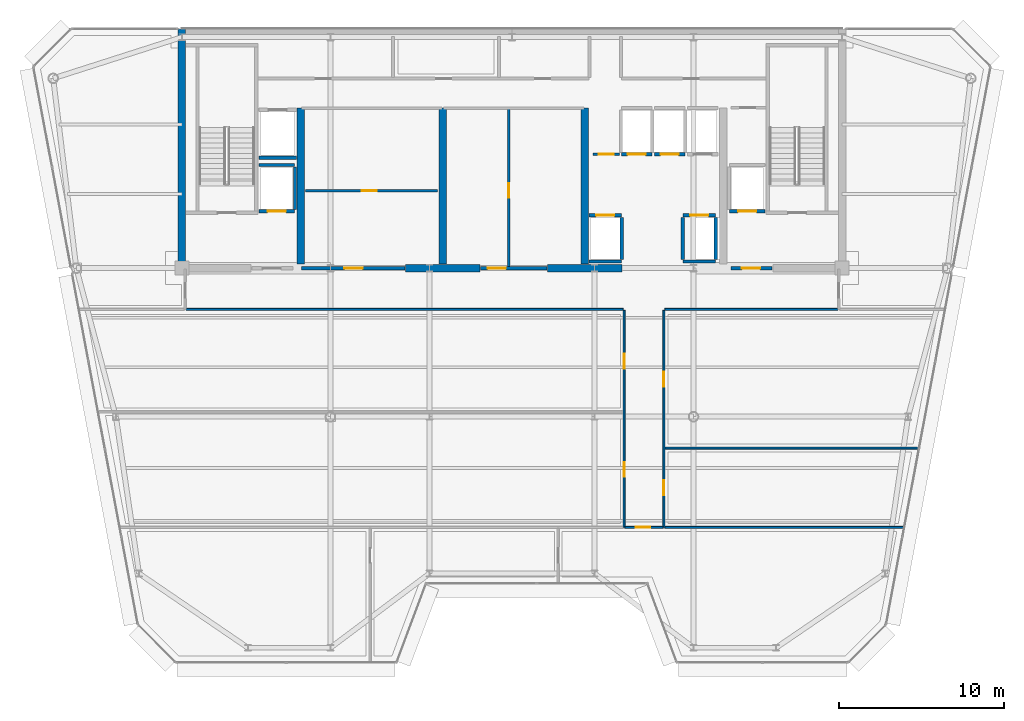
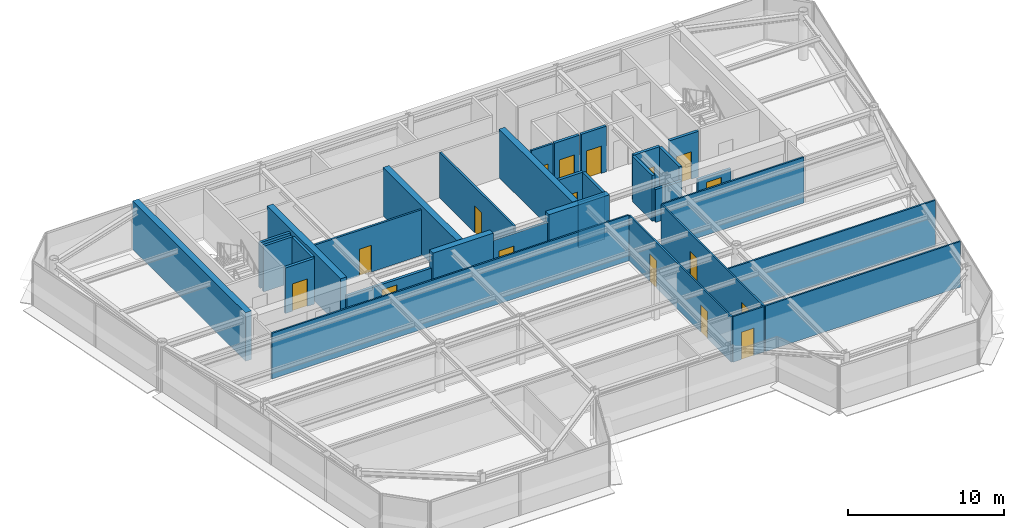
# One storey, part 11 of 19: 33 walls, 17 doors, 17 openings.
"""IFC4 building model written with IfcOpenShell, lengths in metres."""

from ifc_helpers import new_model, si_unit, direction, frame, frame_2d, origin, place, context, subcontext, project, spatial, rectangle, extrude, source, transform, mapped, material, layer, layer_set, type_object, element, fill, save


model = new_model("IFC4")

# Units and contexts
model_context = context("Model", 3, precision=1e-05, world=origin(), true_north=direction((0.0, 1.0)))
body_context = subcontext(model_context, "Body", "Model", "MODEL_VIEW")
ifc_project = project(units=[si_unit("LENGTHUNIT", "METRE"), si_unit("AREAUNIT", "SQUARE_METRE"), si_unit("VOLUMEUNIT", "CUBIC_METRE"), si_unit("PLANEANGLEUNIT", "RADIAN"), si_unit("MASSUNIT", "GRAM", prefix="KILO")], contexts=[model_context])

# Site, building, storey
site_placement = place(None, origin())
site = spatial("IfcSite", under=ifc_project, at=site_placement, CompositionType="ELEMENT")
building_placement = place(site_placement, origin())
building = spatial("IfcBuilding", under=site, at=building_placement, Name="Vaeldorn Concourse Tower", CompositionType="ELEMENT")
storey_placement = place(building_placement, frame((0.0, 0.0, 287.800048828125)))
storey = spatial("IfcBuildingStorey", under=building, at=storey_placement, Name="L74", CompositionType="ELEMENT", Elevation=287.800048828125)

# Walls
ifc_material_1 = material(Name="Concrete C50/60", Category="concrete")
ifc_layer_1 = layer(ifc_material_1, 0.449951171875)
ifc_layer_set_1 = layer_set([ifc_layer_1], Name="Concrete C50/60")
wall_type_1 = type_object("IfcWallType", Name="WL-CORE-450", PredefinedType="SHEAR", material=ifc_layer_set_1)
wall_1_placement = place(storey_placement, frame((14.0, 36.5, 0.0), z_axis=(0.0, 0.0, 1.0), x_axis=(0.0, 1.0, 0.0)))
element("IfcWall", 1, at=wall_1_placement, inside=storey, type_object=wall_type_1, Name="Rear Core Shear Wall L74 W1", PredefinedType="SHEAR", context=body_context, shape_type="SweptSolid", body=[
    extrude(rectangle(XDim=14.5, YDim=0.449951171875, at=frame_2d((7.25, 0.0))), origin(), (0.0, 0.0, 1.0), 3.800048828125),
])
for number, where, z_axis, x_axis, name in (
    (2, (27.550048828125, 36.5, 0.0), (0.0, 0.0, 1.0), (1.0, 0.0, 0.0), "Rear Core Shear Wall L74 S2"),
    (3, (36.14990234375, 36.5, 0.0), (0.0, 0.0, 1.0), (1.0, 0.0, 0.0), "Rear Core Shear Wall L74 S3"),
):
    element("IfcWall", number, at=place(storey_placement, frame(where, z_axis=z_axis, x_axis=x_axis)), inside=storey, type_object=wall_type_1, Name=name, PredefinedType="SHEAR", context=body_context, shape_type="SweptSolid", body=[
        extrude(rectangle(XDim=4.5, YDim=0.449951171875, at=frame_2d((2.25, 0.0))), origin(), (0.0, 0.0, 1.0), 3.800048828125),
    ])
for number, where, z_axis, x_axis, name in (
    (4, (21.199951171875, 36.7451171875, 0.0), (0.0, 0.0, 1.0), (0.0, 1.0, 0.0), "Rear Core Shear Wall L74 M1"),
    (5, (29.800048828125, 36.7451171875, 0.0), (0.0, 0.0, 1.0), (0.0, 1.0, 0.0), "Rear Core Shear Wall L74 M2"),
    (6, (38.39990234375, 36.7451171875, 0.0), (0.0, 0.0, 1.0), (0.0, 1.0, 0.0), "Rear Core Shear Wall L74 M3"),
):
    element("IfcWall", number, at=place(storey_placement, frame(where, z_axis=z_axis, x_axis=x_axis)), inside=storey, type_object=wall_type_1, Name=name, PredefinedType="SHEAR", context=body_context, shape_type="SweptSolid", body=[
        extrude(rectangle(XDim=9.454833984375, YDim=0.449951171875, at=frame_2d((4.7275390625, 0.0))), origin(), (0.0, 0.0, 1.0), 3.800048828125),
    ])
ifc_material_2 = material(Name="Gypsum Board Partition", Category="gypsum")
ifc_layer_2 = layer(ifc_material_2, 0.1201171875)
ifc_layer_set_2 = layer_set([ifc_layer_2], Name="Gypsum Board Partition")
wall_type_2 = type_object("IfcWallType", Name="WL-PART-120", PredefinedType="PARTITIONING", material=ifc_layer_set_2)
wall_2_placement = place(storey_placement, frame((14.260009765625, 34.0, 0.0), z_axis=(0.0, 0.0, 1.0), x_axis=(1.0, 0.0, 0.0)))
element("IfcWall", 7, at=wall_2_placement, inside=storey, type_object=wall_type_2, Name="Interior Wall PW-L74-C3SW", PredefinedType="PARTITIONING", context=body_context, shape_type="SweptSolid", body=[
    extrude(rectangle(XDim=26.47998046875, YDim=0.1201171875, at=frame_2d((13.239990234375, 0.0))), origin(), (0.0, 0.0, 1.0), 3.579833984375),
])
wall_3_placement = place(storey_placement, frame((43.260009765625, 34.0, 0.0), z_axis=(0.0, 0.0, 1.0), x_axis=(1.0, 0.0, 0.0)))
element("IfcWall", 8, at=wall_3_placement, inside=storey, type_object=wall_type_2, Name="Interior Wall PW-L74-C3SE", PredefinedType="PARTITIONING", context=body_context, shape_type="SweptSolid", body=[
    extrude(rectangle(XDim=10.47998046875, YDim=0.1201171875, at=frame_2d((5.239990234375, 0.0))), origin(), (0.0, 0.0, 1.0), 3.579833984375),
])

# Wall, openings, doors
wall_4_placement = place(storey_placement, frame((40.800048828125, 20.800048828125, 0.0), z_axis=(0.0, 0.0, 1.0), x_axis=(0.0, 1.0, 0.0)))
wall_4 = element("IfcWall", 9, at=wall_4_placement, inside=storey, type_object=wall_type_2, Name="Interior Wall PW-L74-CSPW", PredefinedType="PARTITIONING", context=body_context, shape_type="SweptSolid", body=[
    extrude(rectangle(XDim=13.139892578125, YDim=0.1201171875, at=frame_2d((6.56982421875, 0.0))), origin(), (0.0, 0.0, 1.0), 3.579833984375),
])
opening_1_placement = place(wall_4_placement, frame((3.050048828125, 0.0, 0.0)))
opening_1 = element("IfcOpeningElement", 10, at=opening_1_placement, cuts=wall_4, Name="Opening D-03", PredefinedType="OPENING", context=body_context, shape_type="SweptSolid", body=[
    extrude(rectangle(XDim=0.89990234375, YDim=2.14990234375, at=frame_2d((0.449951171875, 1.074951171875))), frame((0.0, 0.070068359375, 0.0), z_axis=(0.0, -1.0, 0.0), x_axis=(1.0, 0.0, 0.0)), (0.0, 0.0, 1.0), 0.14013671875),
])
opening_2_placement = place(wall_4_placement, frame((9.6201171875, 0.0, 0.0)))
opening_2 = element("IfcOpeningElement", 11, at=opening_2_placement, cuts=wall_4, Name="Opening D-03", PredefinedType="OPENING", context=body_context, shape_type="SweptSolid", body=[
    extrude(rectangle(XDim=0.89990234375, YDim=2.14990234375, at=frame_2d((0.449951171875, 1.074951171875))), frame((0.0, 0.070068359375, 0.0), z_axis=(0.0, -1.0, 0.0), x_axis=(1.0, 0.0, 0.0)), (0.0, 0.0, 1.0), 0.14013671875),
])
ifc_material_3 = material(Name="Acoustic Bronze-Framed Glass Door", Category="glass")
door_type_1 = type_object("IfcDoorType", Name="DR-INT-900", OperationType="NOTDEFINED", PredefinedType="DOOR", material=ifc_material_3)
shared_shape_1 = source(origin(), body_context, "Body", "SweptSolid", [
    extrude(rectangle(XDim=0.89990234375, YDim=2.14990234375, at=frame_2d((0.449951171875, 1.074951171875))), frame((0.0, 0.02490234375, 0.0), z_axis=(0.0, -1.0, 0.0), x_axis=(1.0, 0.0, 0.0)), (0.0, 0.0, 1.0), 0.050048828125),
])
door_1_placement = place(opening_1_placement, origin())
door_1 = element("IfcDoor", 12, at=door_1_placement, inside=storey, type_object=door_type_1, Name="Interior Door DR-L74-Z3W1", OperationType="SINGLE_SWING_LEFT", OverallHeight=2.14990234375, OverallWidth=0.89990234375, PredefinedType="DOOR", context=body_context, shape_type="MappedRepresentation", body=[
    mapped(shared_shape_1, transform((0.0, 0.0, 0.0), scale=1.0)),
])
fill(opening_1, door_1)
door_2_placement = place(opening_2_placement, origin())
door_2 = element("IfcDoor", 13, at=door_2_placement, inside=storey, type_object=door_type_1, Name="Interior Door DR-L74-Z3W2", OperationType="SINGLE_SWING_RIGHT", OverallHeight=2.14990234375, OverallWidth=0.89990234375, PredefinedType="DOOR", context=body_context, shape_type="MappedRepresentation", body=[
    mapped(shared_shape_1, transform((0.0, 0.0, 0.0), scale=1.0)),
])
fill(opening_2, door_2)

wall_5_placement = place(storey_placement, frame((43.199951171875, 20.800048828125, 0.0), z_axis=(0.0, 0.0, 1.0), x_axis=(0.0, 1.0, 0.0)))
wall_5 = element("IfcWall", 14, at=wall_5_placement, inside=storey, type_object=wall_type_2, Name="Interior Wall PW-L74-CSPE", PredefinedType="PARTITIONING", context=body_context, shape_type="SweptSolid", body=[
    extrude(rectangle(XDim=13.139892578125, YDim=0.1201171875, at=frame_2d((6.56982421875, 0.0))), origin(), (0.0, 0.0, 1.0), 3.579833984375),
])
opening_3_placement = place(wall_5_placement, frame((1.949951171875, 0.0, 0.0)))
opening_3 = element("IfcOpeningElement", 15, at=opening_3_placement, cuts=wall_5, Name="Opening D-03", PredefinedType="OPENING", context=body_context, shape_type="SweptSolid", body=[
    extrude(rectangle(XDim=0.89990234375, YDim=2.14990234375, at=frame_2d((0.449951171875, 1.074951171875))), frame((0.0, 0.070068359375, 0.0), z_axis=(0.0, -1.0, 0.0), x_axis=(1.0, 0.0, 0.0)), (0.0, 0.0, 1.0), 0.14013671875),
])
opening_4_placement = place(wall_5_placement, frame((8.52001953125, 0.0, 0.0)))
opening_4 = element("IfcOpeningElement", 16, at=opening_4_placement, cuts=wall_5, Name="Opening D-03", PredefinedType="OPENING", context=body_context, shape_type="SweptSolid", body=[
    extrude(rectangle(XDim=0.89990234375, YDim=2.14990234375, at=frame_2d((0.449951171875, 1.074951171875))), frame((0.0, 0.070068359375, 0.0), z_axis=(0.0, -1.0, 0.0), x_axis=(1.0, 0.0, 0.0)), (0.0, 0.0, 1.0), 0.14013671875),
])
door_3_placement = place(opening_3_placement, origin())
door_3 = element("IfcDoor", 17, at=door_3_placement, inside=storey, type_object=door_type_1, Name="Interior Door DR-L74-Z3E1", OperationType="SINGLE_SWING_RIGHT", OverallHeight=2.14990234375, OverallWidth=0.89990234375, PredefinedType="DOOR", context=body_context, shape_type="MappedRepresentation", body=[
    mapped(shared_shape_1, transform((0.0, 0.0, 0.0), scale=1.0)),
])
fill(opening_3, door_3)
door_4_placement = place(opening_4_placement, origin())
door_4 = element("IfcDoor", 18, at=door_4_placement, inside=storey, type_object=door_type_1, Name="Interior Door DR-L74-Z3E2", OperationType="SINGLE_SWING_LEFT", OverallHeight=2.14990234375, OverallWidth=0.89990234375, PredefinedType="DOOR", context=body_context, shape_type="MappedRepresentation", body=[
    mapped(shared_shape_1, transform((0.0, 0.0, 0.0), scale=1.0)),
])
fill(opening_4, door_4)

# Wall, opening, door
wall_6_placement = place(storey_placement, frame((40.840087890625, 20.800048828125, 0.0), z_axis=(0.0, 0.0, 1.0), x_axis=(1.0, 0.0, 0.0)))
wall_6 = element("IfcWall", 19, at=wall_6_placement, inside=storey, type_object=wall_type_2, Name="Interior Wall PW-L74-CSPS", PredefinedType="PARTITIONING", context=body_context, shape_type="SweptSolid", body=[
    extrude(rectangle(XDim=2.31982421875, YDim=0.1201171875, at=frame_2d((1.159912109375, 0.0))), origin(), (0.0, 0.0, 1.0), 3.579833984375),
])
opening_5_placement = place(wall_6_placement, frame((0.64990234375, 0.0, 0.0)))
opening_5 = element("IfcOpeningElement", 20, at=opening_5_placement, cuts=wall_6, Name="Opening D-03", PredefinedType="OPENING", context=body_context, shape_type="SweptSolid", body=[
    extrude(rectangle(XDim=0.89990234375, YDim=2.14990234375, at=frame_2d((0.449951171875, 1.074951171875))), frame((0.0, 0.070068359375, 0.0), z_axis=(0.0, -1.0, 0.0), x_axis=(1.0, 0.0, 0.0)), (0.0, 0.0, 1.0), 0.14013671875),
])
door_5_placement = place(opening_5_placement, origin())
door_5 = element("IfcDoor", 21, at=door_5_placement, inside=storey, type_object=door_type_1, Name="Interior Door DR-L74-Z3SM", OperationType="SINGLE_SWING_LEFT", OverallHeight=2.14990234375, OverallWidth=0.89990234375, PredefinedType="DOOR", context=body_context, shape_type="MappedRepresentation", body=[
    mapped(shared_shape_1, transform((0.0, 0.0, 0.0), scale=1.0)),
])
fill(opening_5, door_5)

# Walls
wall_7_placement = place(storey_placement, frame((43.260009765625, 25.60009765625, 0.0), z_axis=(0.0, 0.0, 1.0), x_axis=(1.0, 0.0, 0.0)))
element("IfcWall", 22, at=wall_7_placement, inside=storey, type_object=wall_type_2, Name="Interior Wall PW-L74-Z3EY1", PredefinedType="PARTITIONING", context=body_context, shape_type="SweptSolid", body=[
    extrude(rectangle(XDim=15.369873046875, YDim=0.1201171875, at=frame_2d((7.68505859375, 0.0))), origin(), (0.0, 0.0, 1.0), 3.579833984375),
])
wall_8_placement = place(storey_placement, frame((43.260009765625, 20.800048828125, 0.0), z_axis=(0.0, 0.0, 1.0), x_axis=(1.0, 0.0, 0.0)))
element("IfcWall", 23, at=wall_8_placement, inside=storey, type_object=wall_type_2, Name="Interior Wall PW-L74-Z3SEL", PredefinedType="PARTITIONING", context=body_context, shape_type="SweptSolid", body=[
    extrude(rectangle(XDim=14.469970703125, YDim=0.1201171875, at=frame_2d((7.23486328125, 0.0))), origin(), (0.0, 0.0, 1.0), 3.579833984375),
])

# Wall, opening, door
ifc_layer_3 = layer(ifc_material_2, 0.14990234375)
ifc_layer_set_3 = layer_set([ifc_layer_3], Name="Gypsum Board Partition")
wall_type_3 = type_object("IfcWallType", Name="WL-PART-150", PredefinedType="PARTITIONING", material=ifc_layer_set_3)
wall_9_placement = place(storey_placement, frame((21.5, 41.199951171875, 0.0), z_axis=(0.0, 0.0, 1.0), x_axis=(1.0, 0.0, 0.0)))
wall_9 = element("IfcWall", 24, at=wall_9_placement, inside=storey, type_object=wall_type_3, Name="Interior Wall CW-L74-R1M", PredefinedType="PARTITIONING", context=body_context, shape_type="SweptSolid", body=[
    extrude(rectangle(XDim=8.0, YDim=0.14990234375, at=frame_2d((4.0, 0.0))), origin(), (0.0, 0.0, 1.0), 3.579833984375),
])
opening_6_placement = place(wall_9_placement, frame((3.39990234375, 0.0, 0.0)))
opening_6 = element("IfcOpeningElement", 25, at=opening_6_placement, cuts=wall_9, Name="Opening D-02", PredefinedType="OPENING", context=body_context, shape_type="SweptSolid", body=[
    extrude(rectangle(XDim=0.89990234375, YDim=2.10009765625, at=frame_2d((0.449951171875, 1.050048828125))), frame((0.0, 0.0849609375, 0.0), z_axis=(0.0, -1.0, 0.0), x_axis=(1.0, 0.0, 0.0)), (0.0, 0.0, 1.0), 0.169921875),
])
ifc_material_4 = material(Name="Fire-Rated Timber Leaf", Category="wood")
door_type_2 = type_object("IfcDoorType", Name="DR-FD30-900", OperationType="NOTDEFINED", PredefinedType="DOOR", material=ifc_material_4)
shared_shape_2 = source(origin(), body_context, "Body", "SweptSolid", [
    extrude(rectangle(XDim=0.89990234375, YDim=2.10009765625, at=frame_2d((0.449951171875, 1.050048828125))), frame((0.0, 0.02490234375, 0.0), z_axis=(0.0, -1.0, 0.0), x_axis=(1.0, 0.0, 0.0)), (0.0, 0.0, 1.0), 0.050048828125),
])
door_6_placement = place(opening_6_placement, origin())
door_6 = element("IfcDoor", 26, at=door_6_placement, inside=storey, type_object=door_type_2, Name="Interior Door DR-L74-R1M", OperationType="SINGLE_SWING_RIGHT", OverallHeight=2.10009765625, OverallWidth=0.89990234375, PredefinedType="DOOR", context=body_context, shape_type="MappedRepresentation", body=[
    mapped(shared_shape_2, transform((0.0, 0.0, 0.0), scale=1.0)),
])
fill(opening_6, door_6)

wall_10_placement = place(storey_placement, frame((33.800048828125, 36.56005859375, 0.0), z_axis=(0.0, 0.0, 1.0), x_axis=(0.0, 1.0, 0.0)))
wall_10 = element("IfcWall", 27, at=wall_10_placement, inside=storey, type_object=wall_type_3, Name="Interior Wall CW-L74-R2M", PredefinedType="PARTITIONING", context=body_context, shape_type="SweptSolid", body=[
    extrude(rectangle(XDim=9.579833984375, YDim=0.14990234375, at=frame_2d((4.7900390625, 0.0))), origin(), (0.0, 0.0, 1.0), 3.579833984375),
])
opening_7_placement = place(wall_10_placement, frame((4.199951171875, 0.0, 0.0)))
opening_7 = element("IfcOpeningElement", 28, at=opening_7_placement, cuts=wall_10, Name="Opening D-02", PredefinedType="OPENING", context=body_context, shape_type="SweptSolid", body=[
    extrude(rectangle(XDim=0.89990234375, YDim=2.10009765625, at=frame_2d((0.449951171875, 1.050048828125))), frame((0.0, 0.0849609375, 0.0), z_axis=(0.0, -1.0, 0.0), x_axis=(1.0, 0.0, 0.0)), (0.0, 0.0, 1.0), 0.169921875),
])
door_7_placement = place(opening_7_placement, origin())
door_7 = element("IfcDoor", 29, at=door_7_placement, inside=storey, type_object=door_type_2, Name="Interior Door DR-L74-R2E", OperationType="SINGLE_SWING_RIGHT", OverallHeight=2.10009765625, OverallWidth=0.89990234375, PredefinedType="DOOR", context=body_context, shape_type="MappedRepresentation", body=[
    mapped(shared_shape_2, transform((0.0, 0.0, 0.0), scale=1.0)),
])
fill(opening_7, door_7)

wall_11_placement = place(storey_placement, frame((38.919921875, 43.39990234375, 0.0), z_axis=(0.0, 0.0, 1.0), x_axis=(1.0, 0.0, 0.0)))
wall_11 = element("IfcWall", 30, at=wall_11_placement, inside=storey, type_object=wall_type_3, Name="Interior Wall CW-L74-CCLINK", PredefinedType="PARTITIONING", context=body_context, shape_type="SweptSolid", body=[
    extrude(rectangle(XDim=1.60009765625, YDim=0.14990234375, at=frame_2d((0.800048828125, 0.0))), origin(), (0.0, 0.0, 1.0), 3.579833984375),
])
opening_8_placement = place(wall_11_placement, frame((0.35009765625, 0.0, 0.0)))
opening_8 = element("IfcOpeningElement", 31, at=opening_8_placement, cuts=wall_11, Name="Opening D-02", PredefinedType="OPENING", context=body_context, shape_type="SweptSolid", body=[
    extrude(rectangle(XDim=0.89990234375, YDim=2.10009765625, at=frame_2d((0.449951171875, 1.050048828125))), frame((0.0, 0.0849609375, 0.0), z_axis=(0.0, -1.0, 0.0), x_axis=(1.0, 0.0, 0.0)), (0.0, 0.0, 1.0), 0.169921875),
])
door_8_placement = place(opening_8_placement, origin())
door_8 = element("IfcDoor", 32, at=door_8_placement, inside=storey, type_object=door_type_2, Name="Interior Door DR-L74-CCLINK", OperationType="SINGLE_SWING_LEFT", OverallHeight=2.10009765625, OverallWidth=0.89990234375, PredefinedType="DOOR", context=body_context, shape_type="MappedRepresentation", body=[
    mapped(shared_shape_2, transform((0.0, 0.0, 0.0), scale=1.0)),
])
fill(opening_8, door_8)

ifc_layer_4 = layer(ifc_material_1, 0.199951171875)
ifc_layer_set_4 = layer_set([ifc_layer_4], Name="Concrete C50/60")
wall_type_4 = type_object("IfcWallType", Name="WL-SHAFT-200", PredefinedType="SOLIDWALL", material=ifc_layer_set_4)
wall_12_placement = place(storey_placement, frame((47.280029296875, 36.5, 0.0), z_axis=(0.0, 0.0, 1.0), x_axis=(1.0, 0.0, 0.0)))
wall_12 = element("IfcWall", 33, at=wall_12_placement, inside=storey, type_object=wall_type_4, Name="Interior Wall CW-L74-FF2S", PredefinedType="SOLIDWALL", context=body_context, shape_type="SweptSolid", body=[
    extrude(rectangle(XDim=2.469970703125, YDim=0.199951171875, at=frame_2d((1.23486328125, 0.0))), origin(), (0.0, 0.0, 1.0), 2.570068359375),
])
opening_9_placement = place(wall_12_placement, frame((0.64990234375, 0.0, 0.0)))
opening_9 = element("IfcOpeningElement", 34, at=opening_9_placement, cuts=wall_12, Name="Opening D-01", PredefinedType="OPENING", context=body_context, shape_type="SweptSolid", body=[
    extrude(rectangle(XDim=1.10009765625, YDim=2.14990234375, at=frame_2d((0.550048828125, 1.074951171875))), frame((0.0, 0.10986328125, 0.0), z_axis=(0.0, -1.0, 0.0), x_axis=(1.0, 0.0, 0.0)), (0.0, 0.0, 1.0), 0.219970703125),
])
ifc_material_5 = material(Name="Fire-Rated Timber and Steel Leaf", Category="steel")
door_type_3 = type_object("IfcDoorType", Name="DR-FD60-1100", OperationType="NOTDEFINED", PredefinedType="DOOR", material=ifc_material_5)
shared_shape_3 = source(origin(), body_context, "Body", "SweptSolid", [
    extrude(rectangle(XDim=1.10009765625, YDim=2.14990234375, at=frame_2d((0.550048828125, 1.074951171875))), frame((0.0, 0.02490234375, 0.0), z_axis=(0.0, -1.0, 0.0), x_axis=(1.0, 0.0, 0.0)), (0.0, 0.0, 1.0), 0.050048828125),
])
door_9_placement = place(opening_9_placement, origin())
door_9 = element("IfcDoor", 35, at=door_9_placement, inside=storey, type_object=door_type_3, Name="Interior Door DR-L74-FF2W", OperationType="SINGLE_SWING_LEFT", OverallHeight=2.14990234375, OverallWidth=1.10009765625, PredefinedType="DOOR", context=body_context, shape_type="MappedRepresentation", body=[
    mapped(shared_shape_3, transform((0.0, 0.0, 0.0), scale=1.0)),
])
fill(opening_9, door_9)

wall_13_placement = place(storey_placement, frame((38.669921875, 39.699951171875, 0.0), z_axis=(0.0, 0.0, 1.0), x_axis=(1.0, 0.0, 0.0)))
wall_13 = element("IfcWall", 36, at=wall_13_placement, inside=storey, type_object=wall_type_4, Name="Interior Wall CW-L74-LF-LF-13", PredefinedType="SOLIDWALL", context=body_context, shape_type="SweptSolid", body=[
    extrude(rectangle(XDim=1.9599609375, YDim=0.199951171875, at=frame_2d((0.97998046875, 0.0))), origin(), (0.0, 0.0, 1.0), 3.579833984375),
])
opening_10_placement = place(wall_13_placement, frame((0.429931640625, 0.0, 0.0)))
opening_10 = element("IfcOpeningElement", 37, at=opening_10_placement, cuts=wall_13, Name="Opening LD-1", PredefinedType="OPENING", context=body_context, shape_type="SweptSolid", body=[
    extrude(rectangle(XDim=1.10009765625, YDim=2.14990234375, at=frame_2d((0.550048828125, 1.074951171875))), frame((0.0, 0.10986328125, 0.0), z_axis=(0.0, -1.0, 0.0), x_axis=(1.0, 0.0, 0.0)), (0.0, 0.0, 1.0), 0.219970703125),
])
ifc_material_6 = material(Name="Anodised Bronze Aluminium", Category="aluminium")
door_type_4 = type_object("IfcDoorType", Name="DR-LIFT-SLIDE-1100", OperationType="DOUBLE_DOOR_SLIDING", PredefinedType="DOOR", material=ifc_material_6)
door_10_placement = place(opening_10_placement, origin())
door_10 = element("IfcDoor", 38, at=door_10_placement, inside=storey, type_object=door_type_4, Name="Lift Landing Door LD-L74-LF-13", OperationType="DOUBLE_DOOR_SLIDING", OverallHeight=2.14990234375, OverallWidth=1.10009765625, PredefinedType="DOOR", context=body_context, shape_type="MappedRepresentation", body=[
    mapped(shared_shape_3, transform((0.0, 0.0, 0.0), scale=1.0)),
])
fill(opening_10, door_10)

# Walls
wall_14_placement = place(storey_placement, frame((38.669921875, 36.89990234375, 0.0), z_axis=(0.0, 0.0, 1.0), x_axis=(1.0, 0.0, 0.0)))
element("IfcWall", 39, at=wall_14_placement, inside=storey, type_object=wall_type_4, Name="Interior Wall CW-L74-LFB-LF-13", PredefinedType="SOLIDWALL", context=body_context, shape_type="SweptSolid", body=[
    extrude(rectangle(XDim=1.9599609375, YDim=0.199951171875, at=frame_2d((0.97998046875, 0.0))), origin(), (0.0, 0.0, 1.0), 3.579833984375),
])
wall_15_placement = place(storey_placement, frame((40.64990234375, 37.02001953125, 0.0), z_axis=(0.0, 0.0, 1.0), x_axis=(0.0, 1.0, 0.0)))
element("IfcWall", 40, at=wall_15_placement, inside=storey, type_object=wall_type_4, Name="Interior Wall CW-L74-LFE-LF-13", PredefinedType="SOLIDWALL", context=body_context, shape_type="SweptSolid", body=[
    extrude(rectangle(XDim=2.56005859375, YDim=0.199951171875, at=frame_2d((1.280029296875, 0.0))), origin(), (0.0, 0.0, 1.0), 3.579833984375),
])

# Wall, opening, door
wall_16_placement = place(storey_placement, frame((44.3701171875, 39.699951171875, 0.0), z_axis=(0.0, 0.0, 1.0), x_axis=(1.0, 0.0, 0.0)))
wall_16 = element("IfcWall", 41, at=wall_16_placement, inside=storey, type_object=wall_type_4, Name="Interior Wall CW-L74-LF-LF-14", PredefinedType="SOLIDWALL", context=body_context, shape_type="SweptSolid", body=[
    extrude(rectangle(XDim=1.9599609375, YDim=0.199951171875, at=frame_2d((0.97998046875, 0.0))), origin(), (0.0, 0.0, 1.0), 3.579833984375),
])
opening_11_placement = place(wall_16_placement, frame((0.429931640625, 0.0, 0.0)))
opening_11 = element("IfcOpeningElement", 42, at=opening_11_placement, cuts=wall_16, Name="Opening LD-1", PredefinedType="OPENING", context=body_context, shape_type="SweptSolid", body=[
    extrude(rectangle(XDim=1.10009765625, YDim=2.14990234375, at=frame_2d((0.550048828125, 1.074951171875))), frame((0.0, 0.10986328125, 0.0), z_axis=(0.0, -1.0, 0.0), x_axis=(1.0, 0.0, 0.0)), (0.0, 0.0, 1.0), 0.219970703125),
])
door_11_placement = place(opening_11_placement, origin())
door_11 = element("IfcDoor", 43, at=door_11_placement, inside=storey, type_object=door_type_4, Name="Lift Landing Door LD-L74-LF-14", OperationType="DOUBLE_DOOR_SLIDING", OverallHeight=2.14990234375, OverallWidth=1.10009765625, PredefinedType="DOOR", context=body_context, shape_type="MappedRepresentation", body=[
    mapped(shared_shape_3, transform((0.0, 0.0, 0.0), scale=1.0)),
])
fill(opening_11, door_11)

# Walls
wall_17_placement = place(storey_placement, frame((44.3701171875, 36.89990234375, 0.0), z_axis=(0.0, 0.0, 1.0), x_axis=(1.0, 0.0, 0.0)))
element("IfcWall", 44, at=wall_17_placement, inside=storey, type_object=wall_type_4, Name="Interior Wall CW-L74-LFB-LF-14", PredefinedType="SOLIDWALL", context=body_context, shape_type="SweptSolid", body=[
    extrude(rectangle(XDim=1.9599609375, YDim=0.199951171875, at=frame_2d((0.97998046875, 0.0))), origin(), (0.0, 0.0, 1.0), 2.570068359375),
])
for number, where, z_axis, x_axis, name in (
    (45, (44.35009765625, 37.02001953125, 0.0), (0.0, 0.0, 1.0), (0.0, 1.0, 0.0), "Interior Wall CW-L74-LFW-LF-14"),
    (46, (46.35009765625, 37.02001953125, 0.0), (0.0, 0.0, 1.0), (0.0, 1.0, 0.0), "Interior Wall CW-L74-LFE-LF-14"),
):
    element("IfcWall", number, at=place(storey_placement, frame(where, z_axis=z_axis, x_axis=x_axis)), inside=storey, type_object=wall_type_4, Name=name, PredefinedType="SOLIDWALL", context=body_context, shape_type="SweptSolid", body=[
        extrude(rectangle(XDim=2.56005859375, YDim=0.199951171875, at=frame_2d((1.280029296875, 0.0))), origin(), (0.0, 0.0, 1.0), 3.579833984375),
    ])

# Wall, opening, door
wall_18_placement = place(storey_placement, frame((40.6201171875, 43.39990234375, 0.0), z_axis=(0.0, 0.0, 1.0), x_axis=(1.0, 0.0, 0.0)))
wall_18 = element("IfcWall", 47, at=wall_18_placement, inside=storey, type_object=wall_type_4, Name="Interior Wall CW-L74-LF-LF-15", PredefinedType="SOLIDWALL", context=body_context, shape_type="SweptSolid", body=[
    extrude(rectangle(XDim=1.85986328125, YDim=0.199951171875, at=frame_2d((0.929931640625, 0.0))), origin(), (0.0, 0.0, 1.0), 3.579833984375),
])
opening_12_placement = place(wall_18_placement, frame((0.3798828125, 0.0, 0.0)))
opening_12 = element("IfcOpeningElement", 48, at=opening_12_placement, cuts=wall_18, Name="Opening LD-1", PredefinedType="OPENING", context=body_context, shape_type="SweptSolid", body=[
    extrude(rectangle(XDim=1.10009765625, YDim=2.14990234375, at=frame_2d((0.550048828125, 1.074951171875))), frame((0.0, 0.10986328125, 0.0), z_axis=(0.0, -1.0, 0.0), x_axis=(1.0, 0.0, 0.0)), (0.0, 0.0, 1.0), 0.219970703125),
])
door_12_placement = place(opening_12_placement, origin())
door_12 = element("IfcDoor", 49, at=door_12_placement, inside=storey, type_object=door_type_4, Name="Lift Landing Door LD-L74-LF-15", OperationType="DOUBLE_DOOR_SLIDING", OverallHeight=2.14990234375, OverallWidth=1.10009765625, PredefinedType="DOOR", context=body_context, shape_type="MappedRepresentation", body=[
    mapped(shared_shape_3, transform((0.0, 0.0, 0.0), scale=1.0)),
])
fill(opening_12, door_12)

wall_19_placement = place(storey_placement, frame((42.6201171875, 43.39990234375, 0.0), z_axis=(0.0, 0.0, 1.0), x_axis=(1.0, 0.0, 0.0)))
wall_19 = element("IfcWall", 50, at=wall_19_placement, inside=storey, type_object=wall_type_4, Name="Interior Wall CW-L74-LF-LF-16", PredefinedType="SOLIDWALL", context=body_context, shape_type="SweptSolid", body=[
    extrude(rectangle(XDim=1.85986328125, YDim=0.199951171875, at=frame_2d((0.929931640625, 0.0))), origin(), (0.0, 0.0, 1.0), 3.579833984375),
])
opening_13_placement = place(wall_19_placement, frame((0.3798828125, 0.0, 0.0)))
opening_13 = element("IfcOpeningElement", 51, at=opening_13_placement, cuts=wall_19, Name="Opening LD-1", PredefinedType="OPENING", context=body_context, shape_type="SweptSolid", body=[
    extrude(rectangle(XDim=1.10009765625, YDim=2.14990234375, at=frame_2d((0.550048828125, 1.074951171875))), frame((0.0, 0.10986328125, 0.0), z_axis=(0.0, -1.0, 0.0), x_axis=(1.0, 0.0, 0.0)), (0.0, 0.0, 1.0), 0.219970703125),
])
door_13_placement = place(opening_13_placement, origin())
door_13 = element("IfcDoor", 52, at=door_13_placement, inside=storey, type_object=door_type_4, Name="Lift Landing Door LD-L74-LF-16", OperationType="DOUBLE_DOOR_SLIDING", OverallHeight=2.14990234375, OverallWidth=1.10009765625, PredefinedType="DOOR", context=body_context, shape_type="MappedRepresentation", body=[
    mapped(shared_shape_3, transform((0.0, 0.0, 0.0), scale=1.0)),
])
fill(opening_13, door_13)

# Wall
wall_20_placement = place(storey_placement, frame((18.669921875, 43.199951171875, 0.0), z_axis=(0.0, 0.0, 1.0), x_axis=(1.0, 0.0, 0.0)))
element("IfcWall", 53, at=wall_20_placement, inside=storey, type_object=wall_type_4, Name="Interior Wall CW-L74-LFB-LF-SV1", PredefinedType="SOLIDWALL", context=body_context, shape_type="SweptSolid", body=[
    extrude(rectangle(XDim=2.260009765625, YDim=0.199951171875, at=frame_2d((1.1298828125, 0.0))), origin(), (0.0, 0.0, 1.0), 3.579833984375),
])

# Wall, opening, door
wall_21_placement = place(storey_placement, frame((18.669921875, 39.949951171875, 0.0), z_axis=(0.0, 0.0, 1.0), x_axis=(1.0, 0.0, 0.0)))
wall_21 = element("IfcWall", 54, at=wall_21_placement, inside=storey, type_object=wall_type_4, Name="Interior Wall CW-L74-LF-LF-FF1", PredefinedType="SOLIDWALL", context=body_context, shape_type="SweptSolid", body=[
    extrude(rectangle(XDim=2.16015625, YDim=0.199951171875, at=frame_2d((1.080078125, 0.0))), origin(), (0.0, 0.0, 1.0), 3.579833984375),
])
opening_14_placement = place(wall_21_placement, frame((0.530029296875, 0.0, 0.0)))
opening_14 = element("IfcOpeningElement", 55, at=opening_14_placement, cuts=wall_21, Name="Opening LD-1", PredefinedType="OPENING", context=body_context, shape_type="SweptSolid", body=[
    extrude(rectangle(XDim=1.10009765625, YDim=2.14990234375, at=frame_2d((0.550048828125, 1.074951171875))), frame((0.0, 0.10986328125, 0.0), z_axis=(0.0, -1.0, 0.0), x_axis=(1.0, 0.0, 0.0)), (0.0, 0.0, 1.0), 0.219970703125),
])
door_14_placement = place(opening_14_placement, origin())
door_14 = element("IfcDoor", 56, at=door_14_placement, inside=storey, type_object=door_type_4, Name="Lift Landing Door LD-L74-LF-FF1", OperationType="DOUBLE_DOOR_SLIDING", OverallHeight=2.14990234375, OverallWidth=1.10009765625, PredefinedType="DOOR", context=body_context, shape_type="MappedRepresentation", body=[
    mapped(shared_shape_3, transform((0.0, 0.0, 0.0), scale=1.0)),
])
fill(opening_14, door_14)

# Walls
wall_22_placement = place(storey_placement, frame((18.669921875, 42.75, 0.0), z_axis=(0.0, 0.0, 1.0), x_axis=(1.0, 0.0, 0.0)))
element("IfcWall", 57, at=wall_22_placement, inside=storey, type_object=wall_type_4, Name="Interior Wall CW-L74-LFB-LF-FF1", PredefinedType="SOLIDWALL", context=body_context, shape_type="SweptSolid", body=[
    extrude(rectangle(XDim=2.16015625, YDim=0.199951171875, at=frame_2d((1.080078125, 0.0))), origin(), (0.0, 0.0, 1.0), 3.579833984375),
])
wall_23_placement = place(storey_placement, frame((20.85009765625, 40.070068359375, 0.0), z_axis=(0.0, 0.0, 1.0), x_axis=(0.0, 1.0, 0.0)))
element("IfcWall", 58, at=wall_23_placement, inside=storey, type_object=wall_type_4, Name="Interior Wall CW-L74-LFE-LF-FF1", PredefinedType="SOLIDWALL", context=body_context, shape_type="SweptSolid", body=[
    extrude(rectangle(XDim=2.559814453125, YDim=0.199951171875, at=frame_2d((1.27978515625, 0.0))), origin(), (0.0, 0.0, 1.0), 3.579833984375),
])

# Wall, opening, door
wall_24_placement = place(storey_placement, frame((47.169921875, 39.949951171875, 0.0), z_axis=(0.0, 0.0, 1.0), x_axis=(1.0, 0.0, 0.0)))
wall_24 = element("IfcWall", 59, at=wall_24_placement, inside=storey, type_object=wall_type_4, Name="Interior Wall CW-L74-LF-LF-FF2", PredefinedType="SOLIDWALL", context=body_context, shape_type="SweptSolid", body=[
    extrude(rectangle(XDim=2.16015625, YDim=0.199951171875, at=frame_2d((1.080078125, 0.0))), origin(), (0.0, 0.0, 1.0), 3.579833984375),
])
opening_15_placement = place(wall_24_placement, frame((0.530029296875, 0.0, 0.0)))
opening_15 = element("IfcOpeningElement", 60, at=opening_15_placement, cuts=wall_24, Name="Opening LD-1", PredefinedType="OPENING", context=body_context, shape_type="SweptSolid", body=[
    extrude(rectangle(XDim=1.10009765625, YDim=2.14990234375, at=frame_2d((0.550048828125, 1.074951171875))), frame((0.0, 0.10986328125, 0.0), z_axis=(0.0, -1.0, 0.0), x_axis=(1.0, 0.0, 0.0)), (0.0, 0.0, 1.0), 0.219970703125),
])
door_15_placement = place(opening_15_placement, origin())
door_15 = element("IfcDoor", 61, at=door_15_placement, inside=storey, type_object=door_type_4, Name="Lift Landing Door LD-L74-LF-FF2", OperationType="DOUBLE_DOOR_SLIDING", OverallHeight=2.14990234375, OverallWidth=1.10009765625, PredefinedType="DOOR", context=body_context, shape_type="MappedRepresentation", body=[
    mapped(shared_shape_3, transform((0.0, 0.0, 0.0), scale=1.0)),
])
fill(opening_15, door_15)

wall_25_placement = place(storey_placement, frame((21.25, 36.5, 0.0), z_axis=(0.0, 0.0, 1.0), x_axis=(1.0, 0.0, 0.0)))
wall_25 = element("IfcWall", 62, at=wall_25_placement, inside=storey, type_object=wall_type_4, Name="Interior Wall CW-L74-R1S", PredefinedType="SOLIDWALL", context=body_context, shape_type="SweptSolid", body=[
    extrude(rectangle(XDim=6.27001953125, YDim=0.199951171875, at=frame_2d((3.135009765625, 0.0))), origin(), (0.0, 0.0, 1.0), 2.570068359375),
])
opening_16_placement = place(wall_25_placement, frame((2.60009765625, 0.0, 0.0)))
opening_16 = element("IfcOpeningElement", 63, at=opening_16_placement, cuts=wall_25, Name="Opening D-01", PredefinedType="OPENING", context=body_context, shape_type="SweptSolid", body=[
    extrude(rectangle(XDim=1.10009765625, YDim=2.14990234375, at=frame_2d((0.550048828125, 1.074951171875))), frame((0.0, 0.10986328125, 0.0), z_axis=(0.0, -1.0, 0.0), x_axis=(1.0, 0.0, 0.0)), (0.0, 0.0, 1.0), 0.219970703125),
])
door_16_placement = place(opening_16_placement, origin())
door_16 = element("IfcDoor", 64, at=door_16_placement, inside=storey, type_object=door_type_3, Name="Interior Door DR-L74-R1S", OperationType="SINGLE_SWING_LEFT", OverallHeight=2.14990234375, OverallWidth=1.10009765625, PredefinedType="DOOR", context=body_context, shape_type="MappedRepresentation", body=[
    mapped(shared_shape_3, transform((0.0, 0.0, 0.0), scale=1.0)),
])
fill(opening_16, door_16)

wall_26_placement = place(storey_placement, frame((32.080078125, 36.5, 0.0), z_axis=(0.0, 0.0, 1.0), x_axis=(1.0, 0.0, 0.0)))
wall_26 = element("IfcWall", 65, at=wall_26_placement, inside=storey, type_object=wall_type_4, Name="Interior Wall CW-L74-R2S", PredefinedType="SOLIDWALL", context=body_context, shape_type="SweptSolid", body=[
    extrude(rectangle(XDim=4.0400390625, YDim=0.199951171875, at=frame_2d((2.02001953125, 0.0))), origin(), (0.0, 0.0, 1.0), 3.119873046875),
])
opening_17_placement = place(wall_26_placement, frame((0.449951171875, 0.0, 0.0)))
opening_17 = element("IfcOpeningElement", 66, at=opening_17_placement, cuts=wall_26, Name="Opening D-01", PredefinedType="OPENING", context=body_context, shape_type="SweptSolid", body=[
    extrude(rectangle(XDim=1.10009765625, YDim=2.14990234375, at=frame_2d((0.550048828125, 1.074951171875))), frame((0.0, 0.10986328125, 0.0), z_axis=(0.0, -1.0, 0.0), x_axis=(1.0, 0.0, 0.0)), (0.0, 0.0, 1.0), 0.219970703125),
])
door_17_placement = place(opening_17_placement, origin())
door_17 = element("IfcDoor", 67, at=door_17_placement, inside=storey, type_object=door_type_3, Name="Interior Door DR-L74-R2W", OperationType="SINGLE_SWING_LEFT", OverallHeight=2.14990234375, OverallWidth=1.10009765625, PredefinedType="DOOR", context=body_context, shape_type="MappedRepresentation", body=[
    mapped(shared_shape_3, transform((0.0, 0.0, 0.0), scale=1.0)),
])
fill(opening_17, door_17)

save(model, "model.ifc")
